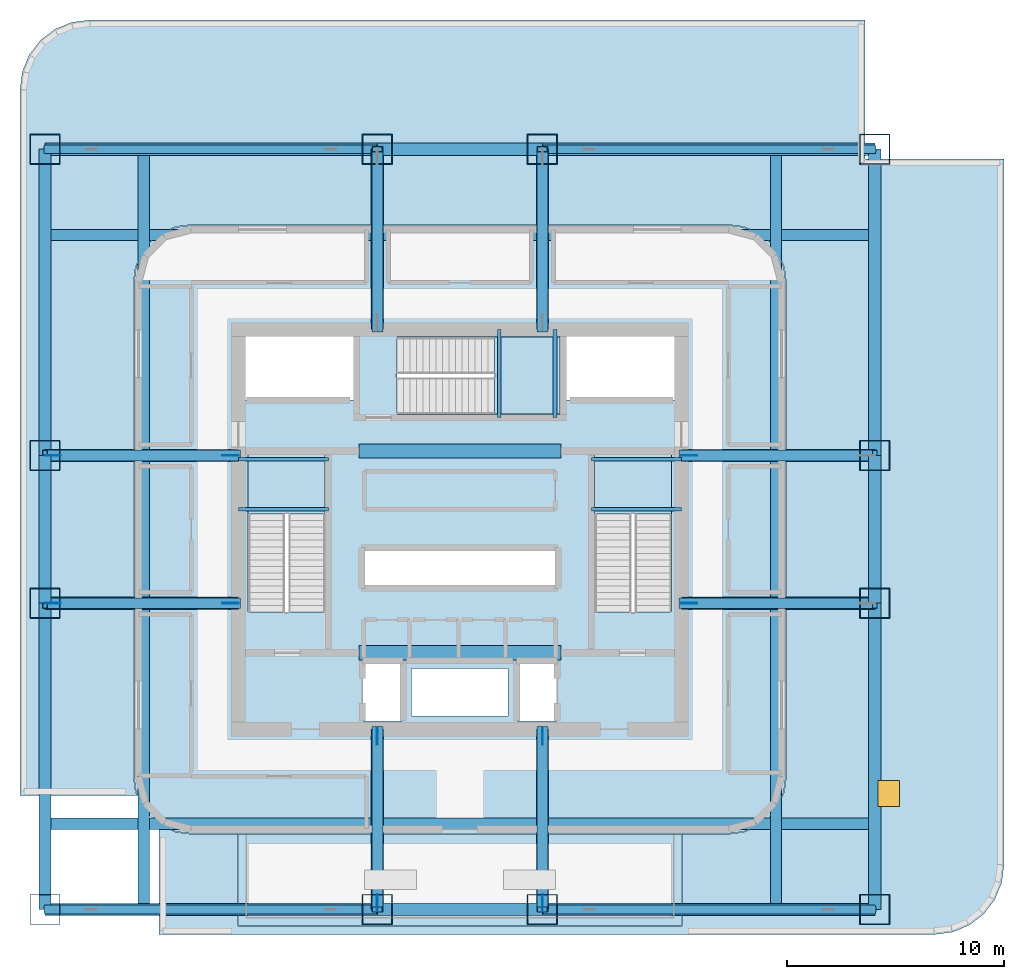
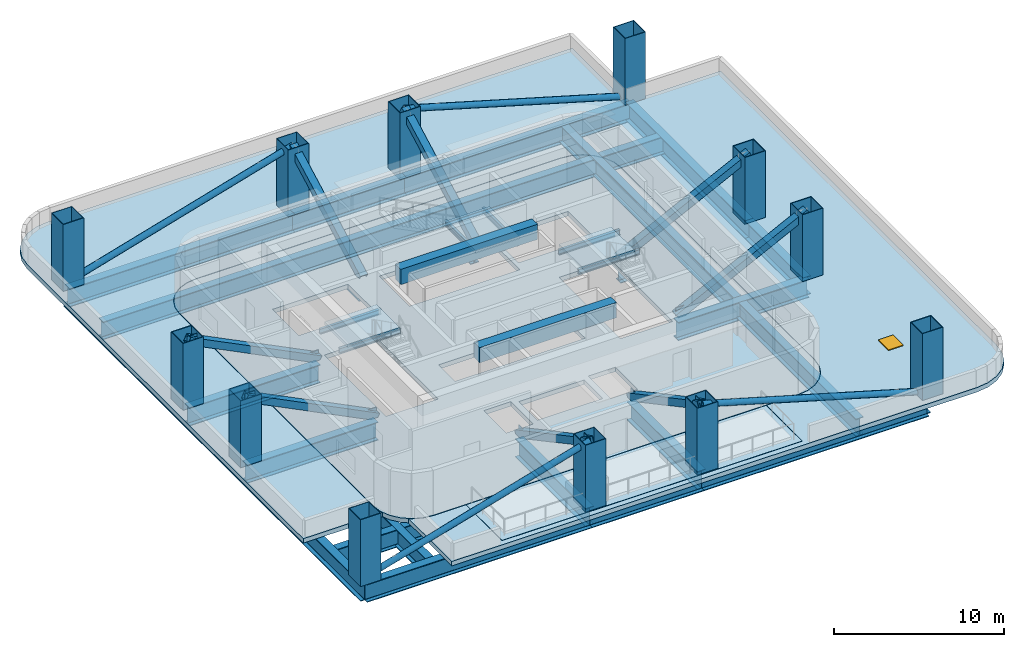
# One storey, part 1 of 10: 32 beams, 12 columns, 12 members, 10 plates, 6 slabs, 1 door, 1 opening, 3 elements without a shape of their own.
"""IFC4 building model written with IfcOpenShell, lengths in metres."""

from ifc_helpers import new_model, si_unit, direction, frame, origin, origin_2d, place, context, subcontext, project, spatial, polyline, rectangle, hollow_rectangle, hollow_circle, i_section, outline, extrude, material, layer, layer_set, material_profile, profile_set, type_object, element, fill, aggregate, save


model = new_model("IFC4")

# Units and contexts
model_context = context("Model", 3, precision=1e-05, world=origin(), true_north=direction((0.0, 1.0)))
body_context = subcontext(model_context, "Body", "Model", "MODEL_VIEW")
ifc_project = project(units=[si_unit("LENGTHUNIT", "METRE"), si_unit("AREAUNIT", "SQUARE_METRE"), si_unit("VOLUMEUNIT", "CUBIC_METRE"), si_unit("PLANEANGLEUNIT", "RADIAN"), si_unit("MASSUNIT", "GRAM", prefix="KILO")], contexts=[model_context])

# Site, building, storey
site_placement = place(None, origin())
site = spatial("IfcSite", under=ifc_project, at=site_placement, CompositionType="ELEMENT")
building_placement = place(site_placement, origin())
building = spatial("IfcBuilding", under=site, at=building_placement, Name="Punatoya Terracotta Tower", CompositionType="ELEMENT")
storey_placement = place(building_placement, frame((0.0, 0.0, 125.39990234375)))
storey = spatial("IfcBuildingStorey", under=building, at=storey_placement, Name="L29", CompositionType="ELEMENT", Elevation=125.39990234375)

# Columns
ifc_material_1 = material(Name="Steel S460", Category="steel")
ifc_material_profile_1 = material_profile(ifc_material_1, hollow_rectangle(XDim=1.39990234375, YDim=1.39990234375, WallThickness=0.0419921875, at=origin_2d()))
ifc_profile_set_1 = profile_set([ifc_material_profile_1], Name="Steel S460")
column_type = type_object("IfcColumnType", Name="COL-MC-Z2", PredefinedType="COLUMN", material=ifc_profile_set_1)
for number, where, z_axis, x_axis, name in (
    (1, (-19.10009765625, -17.5, 0.0), (0.0, 0.0, 1.0), (1.0, 0.0, 0.0), "L29 Composite Mega-Column MC-01 (3-B)"),
    (2, (-3.800048828125, -17.5, 0.0), (0.0, 0.0, 1.0), (1.0, 0.0, 0.0), "L29 Composite Mega-Column MC-02 (5-B)"),
    (3, (3.800048828125, -17.5, 0.0), (0.0, 0.0, 1.0), (1.0, 0.0, 0.0), "L29 Composite Mega-Column MC-03 (7-B)"),
    (4, (19.10009765625, -17.5, 0.0), (0.0, 0.0, 1.0), (1.0, 0.0, 0.0), "L29 Composite Mega-Column MC-04 (9-B)"),
    (5, (19.10009765625, -3.39990234375, 0.0), (0.0, 0.0, 1.0), (1.0, 0.0, 0.0), "L29 Composite Mega-Column MC-05 (9-D)"),
    (6, (19.10009765625, 3.39990234375, 0.0), (0.0, 0.0, 1.0), (1.0, 0.0, 0.0), "L29 Composite Mega-Column MC-06 (9-E)"),
    (7, (19.10009765625, 17.5, 0.0), (0.0, 0.0, 1.0), (1.0, 0.0, 0.0), "L29 Composite Mega-Column MC-07 (9-G)"),
    (8, (3.800048828125, 17.5, 0.0), (0.0, 0.0, 1.0), (1.0, 0.0, 0.0), "L29 Composite Mega-Column MC-08 (7-G)"),
    (9, (-3.800048828125, 17.5, 0.0), (0.0, 0.0, 1.0), (1.0, 0.0, 0.0), "L29 Composite Mega-Column MC-09 (5-G)"),
    (10, (-19.10009765625, 17.5, 0.0), (0.0, 0.0, 1.0), (1.0, 0.0, 0.0), "L29 Composite Mega-Column MC-10 (3-G)"),
    (11, (-19.10009765625, 3.39990234375, 0.0), (0.0, 0.0, 1.0), (1.0, 0.0, 0.0), "L29 Composite Mega-Column MC-11 (3-E)"),
    (12, (-19.10009765625, -3.39990234375, 0.0), (0.0, 0.0, 1.0), (1.0, 0.0, 0.0), "L29 Composite Mega-Column MC-12 (3-D)"),
):
    element("IfcColumn", number, at=place(storey_placement, frame(where, z_axis=z_axis, x_axis=x_axis)), inside=storey, type_object=column_type, Name=name, PredefinedType="COLUMN", context=body_context, shape_type="SweptSolid", body=[
        extrude(hollow_rectangle(XDim=1.39990234375, YDim=1.39990234375, WallThickness=0.0419921875, at=origin_2d()), origin(), (0.0, 0.0, 1.0), 4.800048828125),
    ])

# Beams
ifc_material_2 = material(Name="Concrete C60/75", Category="concrete")
ifc_material_profile_2 = material_profile(ifc_material_2, rectangle(XDim=0.64990234375, YDim=1.10009765625, at=origin_2d()))
ifc_profile_set_2 = profile_set([ifc_material_profile_2], Name="Concrete C60/75")
beam_type_1 = type_object("IfcBeamType", Name="BM-RC-1100", PredefinedType="LINTEL", material=ifc_profile_set_2)
for number, where, z_axis, x_axis, name in (
    (13, (-4.64990234375, -5.679931640625, 3.93017578125), (1.0, 0.0, 0.0), (0.0, 1.0, 0.0), "L29 Core Coupling Lintel CSW"),
    (14, (-4.64990234375, 3.60009765625, 3.93017578125), (1.0, 0.0, 0.0), (0.0, 1.0, 0.0), "L29 Core Coupling Lintel CNW"),
):
    element("IfcBeam", number, at=place(storey_placement, frame(where, z_axis=z_axis, x_axis=x_axis)), inside=storey, type_object=beam_type_1, Name=name, PredefinedType="LINTEL", context=body_context, shape_type="SweptSolid", body=[
        extrude(rectangle(XDim=0.64990234375, YDim=1.10009765625, at=origin_2d()), origin(), (0.0, 0.0, 1.0), 9.2998046875),
    ])
ifc_material_3 = material(Name="Steel S355", Category="steel")
ifc_material_profile_3 = material_profile(ifc_material_3, i_section(OverallWidth=0.169921875, OverallDepth=0.360107421875, WebThickness=0.008056640625, FlangeThickness=0.0126953125, FilletRadius=0.01806640625, at=origin_2d()))
ifc_profile_set_3 = profile_set([ifc_material_profile_3], Name="Steel S355")
beam_type_2 = type_object("IfcBeamType", Name="BM-SEC-360", PredefinedType="JOIST", material=ifc_profile_set_3)
for number, where, z_axis, x_axis, name in (
    (15, (-10.199951171875, 0.919921875, 2.02001953125), (1.0, 0.0, 0.0), (0.0, 1.0, 0.0), "BM-L29-ST-1-LD1A"),
    (16, (-10.199951171875, 3.22998046875, 2.02001953125), (1.0, 0.0, 0.0), (0.0, 1.0, 0.0), "BM-L29-ST-1-LD1B"),
    (17, (6.050048828125, 0.919921875, 2.02001953125), (1.0, 0.0, 0.0), (0.0, 1.0, 0.0), "BM-L29-ST-2-LD1A"),
    (18, (6.050048828125, 3.22998046875, 2.02001953125), (1.0, 0.0, 0.0), (0.0, 1.0, 0.0), "BM-L29-ST-2-LD1B"),
):
    element("IfcBeam", number, at=place(storey_placement, frame(where, z_axis=z_axis, x_axis=x_axis)), inside=storey, type_object=beam_type_2, Name=name, PredefinedType="JOIST", context=body_context, shape_type="SweptSolid", body=[
        extrude(i_section(OverallWidth=0.169921875, OverallDepth=0.360107421875, WebThickness=0.008056640625, FlangeThickness=0.0126953125, FilletRadius=0.01806640625, at=origin_2d()), origin(), (0.0, 0.0, 1.0), 4.14990234375),
    ])
for number, where, z_axis, x_axis, name in (
    (19, (1.820068359375, 5.14990234375, 2.02001953125), (0.0, 1.0, 0.0), (-1.0, 0.0, 0.0), "BM-L29-ST-3-LD1A"),
    (20, (4.3798828125, 5.14990234375, 2.02001953125), (0.0, 1.0, 0.0), (-1.0, 0.0, 0.0), "BM-L29-ST-3-LD1B"),
):
    element("IfcBeam", number, at=place(storey_placement, frame(where, z_axis=z_axis, x_axis=x_axis)), inside=storey, type_object=beam_type_2, Name=name, PredefinedType="JOIST", context=body_context, shape_type="SweptSolid", body=[
        extrude(i_section(OverallWidth=0.169921875, OverallDepth=0.360107421875, WebThickness=0.008056640625, FlangeThickness=0.0126953125, FilletRadius=0.01806640625, at=origin_2d()), origin(), (0.0, 0.0, 1.0), 4.050048828125),
    ])
ifc_material_profile_4 = material_profile(ifc_material_1, i_section(OverallWidth=0.56005859375, OverallDepth=1.320068359375, WebThickness=0.035888671875, FlangeThickness=0.054931640625, FilletRadius=0.01806640625, at=origin_2d()))
ifc_profile_set_4 = profile_set([ifc_material_profile_4], Name="Steel S460")
beam_type_3 = type_object("IfcBeamType", Name="BM-TG-BLK", PredefinedType="BEAM", material=ifc_profile_set_4)
beam_1_placement = place(storey_placement, frame((-19.10009765625, -17.5, -0.97998046875), z_axis=(1.0, 0.0, 0.0), x_axis=(0.0, 1.0, 0.0)))
element("IfcBeam", 21, at=beam_1_placement, inside=storey, type_object=beam_type_3, Name="BM-L29-RG-S1", PredefinedType="BEAM", context=body_context, shape_type="SweptSolid", body=[
    extrude(i_section(OverallWidth=0.56005859375, OverallDepth=1.320068359375, WebThickness=0.035888671875, FlangeThickness=0.054931640625, FilletRadius=0.01806640625, at=origin_2d()), origin(), (0.0, 0.0, 1.0), 15.300048828125),
])
beam_2_placement = place(storey_placement, frame((-3.800048828125, -17.5, -0.97998046875), z_axis=(1.0, 0.0, 0.0), x_axis=(0.0, 1.0, 0.0)))
element("IfcBeam", 22, at=beam_2_placement, inside=storey, type_object=beam_type_3, Name="BM-L29-RG-S2", PredefinedType="BEAM", context=body_context, shape_type="SweptSolid", body=[
    extrude(i_section(OverallWidth=0.56005859375, OverallDepth=1.320068359375, WebThickness=0.035888671875, FlangeThickness=0.054931640625, FilletRadius=0.01806640625, at=origin_2d()), origin(), (0.0, 0.0, 1.0), 7.60009765625),
])
for number, where, z_axis, x_axis, name in (
    (23, (3.800048828125, -17.5, -0.97998046875), (1.0, 0.0, 0.0), (0.0, 1.0, 0.0), "BM-L29-RG-S3"),
    (24, (-19.10009765625, 17.5, -0.97998046875), (1.0, 0.0, 0.0), (0.0, 1.0, 0.0), "BM-L29-RG-N1"),
):
    element("IfcBeam", number, at=place(storey_placement, frame(where, z_axis=z_axis, x_axis=x_axis)), inside=storey, type_object=beam_type_3, Name=name, PredefinedType="BEAM", context=body_context, shape_type="SweptSolid", body=[
        extrude(i_section(OverallWidth=0.56005859375, OverallDepth=1.320068359375, WebThickness=0.035888671875, FlangeThickness=0.054931640625, FilletRadius=0.01806640625, at=origin_2d()), origin(), (0.0, 0.0, 1.0), 15.300048828125),
    ])
beam_3_placement = place(storey_placement, frame((-3.800048828125, 17.5, -0.97998046875), z_axis=(1.0, 0.0, 0.0), x_axis=(0.0, 1.0, 0.0)))
element("IfcBeam", 25, at=beam_3_placement, inside=storey, type_object=beam_type_3, Name="BM-L29-RG-N2", PredefinedType="BEAM", context=body_context, shape_type="SweptSolid", body=[
    extrude(i_section(OverallWidth=0.56005859375, OverallDepth=1.320068359375, WebThickness=0.035888671875, FlangeThickness=0.054931640625, FilletRadius=0.01806640625, at=origin_2d()), origin(), (0.0, 0.0, 1.0), 7.60009765625),
])
beam_4_placement = place(storey_placement, frame((3.800048828125, 17.5, -0.97998046875), z_axis=(1.0, 0.0, 0.0), x_axis=(0.0, 1.0, 0.0)))
element("IfcBeam", 26, at=beam_4_placement, inside=storey, type_object=beam_type_3, Name="BM-L29-RG-N3", PredefinedType="BEAM", context=body_context, shape_type="SweptSolid", body=[
    extrude(i_section(OverallWidth=0.56005859375, OverallDepth=1.320068359375, WebThickness=0.035888671875, FlangeThickness=0.054931640625, FilletRadius=0.01806640625, at=origin_2d()), origin(), (0.0, 0.0, 1.0), 15.300048828125),
])
beam_5_placement = place(storey_placement, frame((-19.10009765625, -17.5, -0.97998046875), z_axis=(0.0, 1.0, 0.0), x_axis=(-1.0, 0.0, 0.0)))
element("IfcBeam", 27, at=beam_5_placement, inside=storey, type_object=beam_type_3, Name="BM-L29-RG-W1", PredefinedType="BEAM", context=body_context, shape_type="SweptSolid", body=[
    extrude(i_section(OverallWidth=0.56005859375, OverallDepth=1.320068359375, WebThickness=0.035888671875, FlangeThickness=0.054931640625, FilletRadius=0.01806640625, at=origin_2d()), origin(), (0.0, 0.0, 1.0), 14.10009765625),
])
beam_6_placement = place(storey_placement, frame((-19.10009765625, -3.39990234375, -0.97998046875), z_axis=(0.0, 1.0, 0.0), x_axis=(-1.0, 0.0, 0.0)))
element("IfcBeam", 28, at=beam_6_placement, inside=storey, type_object=beam_type_3, Name="BM-L29-RG-W2", PredefinedType="BEAM", context=body_context, shape_type="SweptSolid", body=[
    extrude(i_section(OverallWidth=0.56005859375, OverallDepth=1.320068359375, WebThickness=0.035888671875, FlangeThickness=0.054931640625, FilletRadius=0.01806640625, at=origin_2d()), origin(), (0.0, 0.0, 1.0), 6.7998046875),
])
for number, where, z_axis, x_axis, name in (
    (29, (-19.10009765625, 3.39990234375, -0.97998046875), (0.0, 1.0, 0.0), (-1.0, 0.0, 0.0), "BM-L29-RG-W3"),
    (30, (19.10009765625, -17.5, -0.97998046875), (0.0, 1.0, 0.0), (-1.0, 0.0, 0.0), "BM-L29-RG-E1"),
):
    element("IfcBeam", number, at=place(storey_placement, frame(where, z_axis=z_axis, x_axis=x_axis)), inside=storey, type_object=beam_type_3, Name=name, PredefinedType="BEAM", context=body_context, shape_type="SweptSolid", body=[
        extrude(i_section(OverallWidth=0.56005859375, OverallDepth=1.320068359375, WebThickness=0.035888671875, FlangeThickness=0.054931640625, FilletRadius=0.01806640625, at=origin_2d()), origin(), (0.0, 0.0, 1.0), 14.10009765625),
    ])
beam_7_placement = place(storey_placement, frame((19.10009765625, -3.39990234375, -0.97998046875), z_axis=(0.0, 1.0, 0.0), x_axis=(-1.0, 0.0, 0.0)))
element("IfcBeam", 31, at=beam_7_placement, inside=storey, type_object=beam_type_3, Name="BM-L29-RG-E2", PredefinedType="BEAM", context=body_context, shape_type="SweptSolid", body=[
    extrude(i_section(OverallWidth=0.56005859375, OverallDepth=1.320068359375, WebThickness=0.035888671875, FlangeThickness=0.054931640625, FilletRadius=0.01806640625, at=origin_2d()), origin(), (0.0, 0.0, 1.0), 6.7998046875),
])
beam_8_placement = place(storey_placement, frame((19.10009765625, 3.39990234375, -0.97998046875), z_axis=(0.0, 1.0, 0.0), x_axis=(-1.0, 0.0, 0.0)))
element("IfcBeam", 32, at=beam_8_placement, inside=storey, type_object=beam_type_3, Name="BM-L29-RG-E3", PredefinedType="BEAM", context=body_context, shape_type="SweptSolid", body=[
    extrude(i_section(OverallWidth=0.56005859375, OverallDepth=1.320068359375, WebThickness=0.035888671875, FlangeThickness=0.054931640625, FilletRadius=0.01806640625, at=origin_2d()), origin(), (0.0, 0.0, 1.0), 14.10009765625),
])
for number, where, z_axis, x_axis, name in (
    (33, (-19.10009765625, -3.39990234375, -0.97998046875), (1.0, 0.0, 0.0), (0.0, 1.0, 0.0), "BM-L29-PR-WD"),
    (34, (-19.10009765625, 3.39990234375, -0.97998046875), (1.0, 0.0, 0.0), (0.0, 1.0, 0.0), "BM-L29-PR-WE"),
    (35, (10.199951171875, -3.39990234375, -0.97998046875), (1.0, 0.0, 0.0), (0.0, 1.0, 0.0), "BM-L29-PR-ED"),
    (36, (10.199951171875, 3.39990234375, -0.97998046875), (1.0, 0.0, 0.0), (0.0, 1.0, 0.0), "BM-L29-PR-EE"),
):
    element("IfcBeam", number, at=place(storey_placement, frame(where, z_axis=z_axis, x_axis=x_axis)), inside=storey, type_object=beam_type_3, Name=name, PredefinedType="BEAM", context=body_context, shape_type="SweptSolid", body=[
        extrude(i_section(OverallWidth=0.56005859375, OverallDepth=1.320068359375, WebThickness=0.035888671875, FlangeThickness=0.054931640625, FilletRadius=0.01806640625, at=origin_2d()), origin(), (0.0, 0.0, 1.0), 8.900146484375),
    ])
for number, where, z_axis, x_axis, name in (
    (37, (-3.800048828125, -17.5, -0.97998046875), (0.0, 1.0, 0.0), (-1.0, 0.0, 0.0), "BM-L29-PR-S2"),
    (38, (3.800048828125, -17.5, -0.97998046875), (0.0, 1.0, 0.0), (-1.0, 0.0, 0.0), "BM-L29-PR-S3"),
    (39, (-3.800048828125, 9.199951171875, -0.97998046875), (0.0, 1.0, 0.0), (-1.0, 0.0, 0.0), "BM-L29-PR-N2"),
    (40, (3.800048828125, 9.199951171875, -0.97998046875), (0.0, 1.0, 0.0), (-1.0, 0.0, 0.0), "BM-L29-PR-N3"),
):
    element("IfcBeam", number, at=place(storey_placement, frame(where, z_axis=z_axis, x_axis=x_axis)), inside=storey, type_object=beam_type_3, Name=name, PredefinedType="BEAM", context=body_context, shape_type="SweptSolid", body=[
        extrude(i_section(OverallWidth=0.56005859375, OverallDepth=1.320068359375, WebThickness=0.035888671875, FlangeThickness=0.054931640625, FilletRadius=0.01806640625, at=origin_2d()), origin(), (0.0, 0.0, 1.0), 8.300048828125),
    ])
ifc_material_profile_5 = material_profile(ifc_material_1, i_section(OverallWidth=0.52001953125, OverallDepth=1.280029296875, WebThickness=0.031982421875, FlangeThickness=0.050048828125, FilletRadius=0.01806640625, at=origin_2d()))
ifc_profile_set_5 = profile_set([ifc_material_profile_5], Name="Steel S460")
beam_type_4 = type_object("IfcBeamType", Name="BM-TG-NCK", PredefinedType="BEAM", material=ifc_profile_set_5)
for number, where, z_axis, x_axis, name in (
    (41, (-19.10009765625, -13.550048828125, -0.9599609375), (1.0, 0.0, 0.0), (0.0, 1.0, 0.0), "BM-L29-NCK-S"),
    (42, (-19.10009765625, 13.550048828125, -0.9599609375), (1.0, 0.0, 0.0), (0.0, 1.0, 0.0), "BM-L29-NCK-N"),
):
    element("IfcBeam", number, at=place(storey_placement, frame(where, z_axis=z_axis, x_axis=x_axis)), inside=storey, type_object=beam_type_4, Name=name, PredefinedType="BEAM", context=body_context, shape_type="SweptSolid", body=[
        extrude(i_section(OverallWidth=0.52001953125, OverallDepth=1.280029296875, WebThickness=0.031982421875, FlangeThickness=0.050048828125, FilletRadius=0.01806640625, at=origin_2d()), origin(), (0.0, 0.0, 1.0), 38.2001953125),
    ])
for number, where, z_axis, x_axis, name in (
    (43, (-14.550048828125, -17.5, -0.9599609375), (0.0, 1.0, 0.0), (-1.0, 0.0, 0.0), "BM-L29-NCK-W"),
    (44, (14.550048828125, -17.5, -0.9599609375), (0.0, 1.0, 0.0), (-1.0, 0.0, 0.0), "BM-L29-NCK-E"),
):
    element("IfcBeam", number, at=place(storey_placement, frame(where, z_axis=z_axis, x_axis=x_axis)), inside=storey, type_object=beam_type_4, Name=name, PredefinedType="BEAM", context=body_context, shape_type="SweptSolid", body=[
        extrude(i_section(OverallWidth=0.52001953125, OverallDepth=1.280029296875, WebThickness=0.031982421875, FlangeThickness=0.050048828125, FilletRadius=0.01806640625, at=origin_2d()), origin(), (0.0, 0.0, 1.0), 35.0),
    ])

# Members
ifc_material_profile_6 = material_profile(ifc_material_1, hollow_circle(Radius=0.202880859375, WallThickness=0.02001953125, at=origin_2d()))
ifc_profile_set_6 = profile_set([ifc_material_profile_6], Name="Steel S460")
member_type_1 = type_object("IfcMemberType", Name="MEM-NCK-CHS", PredefinedType="STRUT", material=ifc_profile_set_6)
for number, where, z_axis, x_axis, name in (
    (45, (-19.10009765625, -17.5, 0.02001953125), (0.960375870408, 0.0, 0.278708068664), (0.0, 1.0, 0.0), "L29 Baradari Colonnade Ring Strut NST-1"),
    (46, (3.800048828125, -17.5, 4.460205078125), (0.960375870408, 0.0, -0.278708068664), (0.0, 1.0, 0.0), "L29 Baradari Colonnade Ring Strut NST-2"),
    (47, (-19.10009765625, 17.5, 0.02001953125), (0.960375870408, 0.0, 0.278708068664), (0.0, 1.0, 0.0), "L29 Baradari Colonnade Ring Strut NST-3"),
    (48, (3.800048828125, 17.5, 4.460205078125), (0.960375870408, 0.0, -0.278708068664), (0.0, 1.0, 0.0), "L29 Baradari Colonnade Ring Strut NST-4"),
):
    element("IfcMember", number, at=place(storey_placement, frame(where, z_axis=z_axis, x_axis=x_axis)), inside=storey, type_object=member_type_1, Name=name, PredefinedType="STRUT", context=body_context, shape_type="SweptSolid", body=[
        extrude(hollow_circle(Radius=0.202880859375, WallThickness=0.02001953125, at=origin_2d()), origin(), (0.0, 0.0, 1.0), 15.931396484375),
    ])
ifc_material_profile_7 = material_profile(ifc_material_1, hollow_rectangle(XDim=0.5, YDim=0.5, WallThickness=0.028076171875, at=origin_2d()))
ifc_profile_set_7 = profile_set([ifc_material_profile_7], Name="Steel S460")
member_type_2 = type_object("IfcMemberType", Name="MEM-OUT-500", PredefinedType="BRACE", material=ifc_profile_set_7)
for number, where, z_axis, x_axis, name in (
    (49, (-10.199951171875, -3.39990234375, 0.02001953125), (-0.894824482652, 0.0, 0.446418128268), (0.0, -1.0, 0.0), "L29 Outrigger Truss Diagonal WS"),
    (50, (-10.199951171875, 3.39990234375, 0.02001953125), (-0.894824482652, 0.0, 0.446418128268), (0.0, -1.0, 0.0), "L29 Outrigger Truss Diagonal WN"),
    (51, (10.199951171875, -3.39990234375, 0.02001953125), (0.894824482652, 0.0, 0.446418128268), (0.0, 1.0, 0.0), "L29 Outrigger Truss Diagonal ES"),
    (52, (10.199951171875, 3.39990234375, 0.02001953125), (0.894824482652, 0.0, 0.446418128268), (0.0, 1.0, 0.0), "L29 Outrigger Truss Diagonal EN"),
):
    element("IfcMember", number, at=place(storey_placement, frame(where, z_axis=z_axis, x_axis=x_axis)), inside=storey, type_object=member_type_2, Name=name, PredefinedType="BRACE", context=body_context, shape_type="SweptSolid", body=[
        extrude(hollow_rectangle(XDim=0.5, YDim=0.5, WallThickness=0.028076171875, at=origin_2d()), origin(), (0.0, 0.0, 1.0), 9.9462890625),
    ])
for number, where, z_axis, x_axis, name in (
    (53, (-3.800048828125, -9.199951171875, 0.02001953125), (0.0, -0.881757046276, 0.471703838592), (1.0, 0.0, 0.0), "L29 Outrigger Truss Diagonal SW"),
    (54, (3.800048828125, -9.199951171875, 0.02001953125), (0.0, -0.881757046276, 0.471703838592), (1.0, 0.0, 0.0), "L29 Outrigger Truss Diagonal SE"),
    (55, (-3.800048828125, 9.199951171875, 0.02001953125), (0.0, 0.881757046276, 0.471703838592), (-1.0, 0.0, 0.0), "L29 Outrigger Truss Diagonal NW"),
    (56, (3.800048828125, 9.199951171875, 0.02001953125), (0.0, 0.881757046276, 0.471703838592), (-1.0, 0.0, 0.0), "L29 Outrigger Truss Diagonal NE"),
):
    element("IfcMember", number, at=place(storey_placement, frame(where, z_axis=z_axis, x_axis=x_axis)), inside=storey, type_object=member_type_2, Name=name, PredefinedType="BRACE", context=body_context, shape_type="SweptSolid", body=[
        extrude(hollow_rectangle(XDim=0.5, YDim=0.5, WallThickness=0.028076171875, at=origin_2d()), origin(), (0.0, 0.0, 1.0), 9.4130859375),
    ])

# Plates
ifc_layer_1 = layer(ifc_material_1, 0.035888671875)
ifc_layer_set_1 = layer_set([ifc_layer_1], Name="Steel S460")
plate_type = type_object("IfcPlateType", Name="PLT-GUS-36", PredefinedType="USERDEFINED", material=ifc_layer_set_1)
for number, where, z_axis, x_axis, name in (
    (57, (-10.555908203125, -3.39990234375, -0.17724609375), (0.0, 0.0, 1.0), (1.0, 0.0, 0.0), "L29 Outrigger Core Gusset Plate WS"),
    (58, (-18.743896484375, -3.39990234375, 3.907470703125), (0.0, 0.0, 1.0), (1.0, 0.0, 0.0), "L29 Outrigger Mega-Column Gusset Plate WS"),
    (59, (-10.555908203125, 3.39990234375, -0.17724609375), (0.0, 0.0, 1.0), (1.0, 0.0, 0.0), "L29 Outrigger Core Gusset Plate WN"),
    (60, (-18.743896484375, 3.39990234375, 3.907470703125), (0.0, 0.0, 1.0), (1.0, 0.0, 0.0), "L29 Outrigger Mega-Column Gusset Plate WN"),
    (61, (10.555908203125, -3.39990234375, -0.17724609375), (0.0, 0.0, 1.0), (1.0, 0.0, 0.0), "L29 Outrigger Core Gusset Plate ES"),
    (62, (10.555908203125, 3.39990234375, -0.17724609375), (0.0, 0.0, 1.0), (1.0, 0.0, 0.0), "L29 Outrigger Core Gusset Plate EN"),
    (63, (-3.800048828125, -9.531982421875, -0.17724609375), (0.0, 0.0, 1.0), (0.0, 1.0, 0.0), "L29 Outrigger Core Gusset Plate SW"),
    (64, (-3.800048828125, -17.16796875, 3.907470703125), (0.0, 0.0, 1.0), (0.0, 1.0, 0.0), "L29 Outrigger Mega-Column Gusset Plate SW"),
    (65, (3.800048828125, -9.531982421875, -0.17724609375), (0.0, 0.0, 1.0), (0.0, 1.0, 0.0), "L29 Outrigger Core Gusset Plate SE"),
    (66, (3.800048828125, -17.16796875, 3.907470703125), (0.0, 0.0, 1.0), (0.0, 1.0, 0.0), "L29 Outrigger Mega-Column Gusset Plate SE"),
):
    element("IfcPlate", number, at=place(storey_placement, frame(where, z_axis=z_axis, x_axis=x_axis)), inside=storey, type_object=plate_type, Name=name, ObjectType="GUSSET_PLATE", PredefinedType="USERDEFINED", context=body_context, shape_type="SweptSolid", body=[
        extrude(rectangle(XDim=0.75, YDim=0.035888671875, at=origin_2d()), origin(), (0.0, 0.0, 1.0), 0.75),
    ])

# Stair, slab
ifc_material_4 = material(Name="Concrete C40/50", Category="concrete")
stair_type_1 = type_object("IfcStairType", Name="STR-TER-1450", PredefinedType="HALF_TURN_STAIR", material=ifc_material_4)
stair_1_placement = place(storey_placement, origin())
stair_1 = element("IfcStair", 67, at=stair_1_placement, inside=storey, type_object=stair_type_1, Name="L29 Protected Core Exit Stair ST-3", PredefinedType="HALF_TURN_STAIR")
ifc_layer_2 = layer(ifc_material_4, 0.1650390625)
ifc_layer_set_2 = layer_set([ifc_layer_2], Name="Concrete C40/50")
slab_type_1 = type_object("IfcSlabType", Name="SLB-LND-165", PredefinedType="LANDING", material=ifc_layer_set_2)
slab_1_placement = place(storey_placement, frame((0.0, 0.0, 2.2001953125)))
slab_1 = element("IfcSlab", 68, at=slab_1_placement, type_object=slab_type_1, Name="ST-3 landing 1", PredefinedType="LANDING", context=body_context, shape_type="SweptSolid", body=[
    extrude(outline(polyline([(1.60009765625, 5.300048828125), (4.60009765625, 5.300048828125), (4.60009765625, 8.85009765625), (1.60009765625, 8.85009765625), (1.60009765625, 5.300048828125)])), origin(), (0.0, 0.0, 1.0), 0.199951171875),
])
aggregate(stair_1, [slab_1])

stair_type_2 = type_object("IfcStairType", Name="STR-CORE-1550", PredefinedType="HALF_TURN_STAIR", material=ifc_material_4)
stair_2_placement = place(storey_placement, origin())
stair_2 = element("IfcStair", 69, at=stair_2_placement, inside=storey, type_object=stair_type_2, Name="L29 Protected Core Exit Stair ST-1", PredefinedType="HALF_TURN_STAIR")
ifc_layer_3 = layer(ifc_material_4, 0.179931640625)
ifc_layer_set_3 = layer_set([ifc_layer_3], Name="Concrete C40/50")
slab_type_2 = type_object("IfcSlabType", Name="SLB-LND-180", PredefinedType="LANDING", material=ifc_layer_set_3)
slab_2_placement = place(storey_placement, frame((0.0, 0.0, 2.2001953125)))
slab_2 = element("IfcSlab", 70, at=slab_2_placement, type_object=slab_type_2, Name="ST-1 landing 1", PredefinedType="LANDING", context=body_context, shape_type="SweptSolid", body=[
    extrude(outline(polyline([(-6.199951171875, 0.699951171875), (-6.199951171875, 3.449951171875), (-9.75, 3.449951171875), (-9.75, 0.699951171875), (-6.199951171875, 0.699951171875)])), origin(), (0.0, 0.0, 1.0), 0.199951171875),
])
aggregate(stair_2, [slab_2])

stair_type_3 = type_object("IfcStairType", Name="STR-LOB-1650", PredefinedType="HALF_TURN_STAIR", material=ifc_material_4)
stair_3_placement = place(storey_placement, origin())
stair_3 = element("IfcStair", 71, at=stair_3_placement, inside=storey, type_object=stair_type_3, Name="L29 Protected Core Exit Stair ST-2", PredefinedType="HALF_TURN_STAIR")
slab_3_placement = place(storey_placement, frame((0.0, 0.0, 2.2001953125)))
slab_3 = element("IfcSlab", 72, at=slab_3_placement, type_object=slab_type_2, Name="ST-2 landing 1", PredefinedType="LANDING", context=body_context, shape_type="SweptSolid", body=[
    extrude(outline(polyline([(9.75, 0.699951171875), (9.75, 3.449951171875), (6.199951171875, 3.449951171875), (6.199951171875, 0.699951171875), (9.75, 0.699951171875)])), origin(), (0.0, 0.0, 1.0), 0.199951171875),
])
aggregate(stair_3, [slab_3])

# Slabs
ifc_layer_4 = layer(ifc_material_4, 0.320068359375)
ifc_layer_set_4 = layer_set([ifc_layer_4], Name="Concrete C40/50")
slab_type_3 = type_object("IfcSlabType", Name="SLB-PLT-320", PredefinedType="FLOOR", material=ifc_layer_set_4)
slab_4_placement = place(storey_placement, frame((0.0, 0.0, -0.31982421875)))
element("IfcSlab", 73, at=slab_4_placement, inside=storey, type_object=slab_type_3, Name="L29 Structural Floor Slab", PredefinedType="FLOOR", context=body_context, shape_type="SweptSolid", body=[
    extrude(outline(polyline([(-12.39990234375, -14.0), (-13.072998046875, -13.911376953125), (-13.699951171875, -13.651611328125), (-14.238525390625, -13.238525390625), (-14.651611328125, -12.699951171875), (-14.911376953125, -12.072998046875), (-15.0, -11.39990234375), (-15.0, 11.39990234375), (-14.911376953125, 12.072998046875), (-14.651611328125, 12.699951171875), (-14.238525390625, 13.238525390625), (-13.699951171875, 13.651611328125), (-13.072998046875, 13.911376953125), (-12.39990234375, 14.0), (12.39990234375, 14.0), (13.072998046875, 13.911376953125), (13.699951171875, 13.651611328125), (14.238525390625, 13.238525390625), (14.651611328125, 12.699951171875), (14.911376953125, 12.072998046875), (15.0, 11.39990234375), (15.0, -11.39990234375), (14.911376953125, -12.072998046875), (14.651611328125, -12.699951171875), (14.238525390625, -13.238525390625), (13.699951171875, -13.651611328125), (13.072998046875, -13.911376953125), (12.39990234375, -14.0), (-12.39990234375, -14.0)]), holes=[polyline([(-2.6298828125, -6.179931640625), (-4.469970703125, -6.179931640625), (-4.469970703125, -8.820068359375), (-2.6298828125, -8.820068359375), (-2.6298828125, -6.179931640625)]), polyline([(0.02001953125, -8.594970703125), (2.219970703125, -8.594970703125), (2.219970703125, -6.405029296875), (0.02001953125, -6.405029296875), (-0.02001953125, -6.405029296875), (-2.219970703125, -6.405029296875), (-2.219970703125, -8.594970703125), (-0.02001953125, -8.594970703125), (0.02001953125, -8.594970703125)]), polyline([(-2.219970703125, -2.719970703125), (-2.179931640625, -2.719970703125), (-0.02001953125, -2.719970703125), (0.02001953125, -2.719970703125), (2.179931640625, -2.719970703125), (2.219970703125, -2.719970703125), (4.419921875, -2.719970703125), (4.419921875, -0.780029296875), (2.219970703125, -0.780029296875), (2.179931640625, -0.780029296875), (0.02001953125, -0.780029296875), (-0.02001953125, -0.780029296875), (-2.179931640625, -0.780029296875), (-2.219970703125, -0.780029296875), (-4.419921875, -0.780029296875), (-4.419921875, -2.719970703125), (-2.219970703125, -2.719970703125)]), polyline([(-6.199951171875, 3.449951171875), (-9.75, 3.449951171875), (-9.75, -3.79931640625), (-6.199951171875, -3.79931640625), (-6.199951171875, 3.449951171875)]), polyline([(4.60009765625, 5.300048828125), (4.60009765625, 8.85009765625), (-2.899169921875, 8.85009765625), (-2.899169921875, 5.300048828125), (4.60009765625, 5.300048828125)]), polyline([(-4.89990234375, 9.050048828125), (-10.050048828125, 9.050048828125), (-10.050048828125, 5.949951171875), (-4.89990234375, 5.949951171875), (-4.89990234375, 9.050048828125)]), polyline([(4.469970703125, -8.820068359375), (4.469970703125, -6.179931640625), (2.6298828125, -6.179931640625), (2.6298828125, -8.820068359375), (4.469970703125, -8.820068359375)]), polyline([(9.75, 3.449951171875), (6.199951171875, 3.449951171875), (6.199951171875, -3.79931640625), (9.75, -3.79931640625), (9.75, 3.449951171875)]), polyline([(10.050048828125, 5.949951171875), (10.050048828125, 9.050048828125), (4.89990234375, 9.050048828125), (4.89990234375, 5.949951171875), (10.050048828125, 5.949951171875)])]), origin(), (0.0, 0.0, 1.0), 0.31982421875),
])
slab_5_placement = place(storey_placement, frame((0.0, 0.0, -0.31982421875)))
element("IfcSlab", 74, at=slab_5_placement, inside=storey, type_object=slab_type_3, Name="L29 Hover-Neck Sky Garden Terrace", PredefinedType="FLOOR", context=body_context, shape_type="SweptSolid", body=[
    extrude(outline(polyline([(10.199951171875, -18.25), (-10.199951171875, -18.25), (-10.199951171875, -14.02001953125), (10.199951171875, -14.02001953125), (10.199951171875, -18.25)])), origin(), (0.0, 0.0, 1.0), 0.31982421875),
])

# Slab, opening, door
ifc_layer_5 = layer(ifc_material_4, 0.320068359375)
ifc_layer_set_5 = layer_set([ifc_layer_5], Name="Concrete C40/50")
slab_type_4 = type_object("IfcSlabType", Name="SLB-ROF-320", PredefinedType="ROOF", material=ifc_layer_set_5)
slab_6_placement = place(storey_placement, frame((0.0, 0.0, -0.31982421875)))
slab_6 = element("IfcSlab", 75, at=slab_6_placement, inside=storey, type_object=slab_type_4, Name="L29 Junction Roof Slab 1 over L28 Plate", PredefinedType="ROOF", context=body_context, shape_type="SweptSolid", body=[
    extrude(outline(polyline([(-20.14111328125, 21.078125), (-20.25, 20.25), (-20.25, -12.25), (-14.859619140625, -12.25), (-14.930908203125, -12.078125), (-15.02001953125, -11.4013671875), (-15.02001953125, 11.4013671875), (-14.930908203125, 12.078125), (-14.669189453125, 12.710205078125), (-14.252685546875, 13.252685546875), (-13.710205078125, 13.669189453125), (-13.078125, 13.930908203125), (-12.4013671875, 14.02001953125), (12.4013671875, 14.02001953125), (13.078125, 13.930908203125), (13.710205078125, 13.669189453125), (14.252685546875, 13.252685546875), (14.669189453125, 12.710205078125), (14.930908203125, 12.078125), (15.02001953125, 11.4013671875), (15.02001953125, -11.4013671875), (14.930908203125, -12.078125), (14.669189453125, -12.710205078125), (14.252685546875, -13.252685546875), (13.710205078125, -13.669189453125), (13.078125, -13.930908203125), (12.4013671875, -14.02001953125), (10.219970703125, -14.02001953125), (10.219970703125, -18.27001953125), (-10.219970703125, -18.27001953125), (-10.219970703125, -14.02001953125), (-12.4013671875, -14.02001953125), (-13.078125, -13.930908203125), (-13.710205078125, -13.669189453125), (-13.85009765625, -13.561767578125), (-13.85009765625, -18.64990234375), (21.85009765625, -18.64990234375), (22.67822265625, -18.541015625), (23.449951171875, -18.22119140625), (24.11279296875, -17.712646484375), (24.621337890625, -17.050048828125), (24.94091796875, -16.2783203125), (25.050048828125, -15.449951171875), (25.050048828125, 17.050048828125), (18.64990234375, 17.050048828125), (18.64990234375, 23.449951171875), (-17.050048828125, 23.449951171875), (-17.878173828125, 23.341064453125), (-18.64990234375, 23.021240234375), (-19.312744140625, 22.5126953125), (-19.8212890625, 21.85009765625), (-20.14111328125, 21.078125)]), holes=[polyline([(20.25, -11.550048828125), (20.25, -12.75), (19.25, -12.75), (19.25, -11.550048828125), (20.25, -11.550048828125)])]), origin(), (0.0, 0.0, 1.0), 0.31982421875),
])
opening_placement = place(slab_6_placement, frame((19.75, -12.14990234375, 0.0)))
opening = element("IfcOpeningElement", 76, at=opening_placement, cuts=slab_6, Name="Opening RHT-1", PredefinedType="OPENING", context=body_context, shape_type="SweptSolid", body=[
    extrude(rectangle(XDim=1.0, YDim=1.199951171875, at=origin_2d()), frame((0.0, 0.0, -0.010009765625)), (0.0, 0.0, 1.0), 0.389892578125),
])
ifc_material_5 = material(Name="Insulated Aluminium Roof Hatch", Category="aluminium")
door_type = type_object("IfcDoorType", Name="DR-HTCH-1000", OperationType="NOTDEFINED", PredefinedType="TRAPDOOR", material=ifc_material_5)
door_placement = place(opening_placement, frame((0.0, 0.0, 0.31982421875)))
door = element("IfcDoor", 77, at=door_placement, inside=storey, type_object=door_type, Name="L29 Junction Roof Maintenance Hatch 1", OperationType="SINGLE_SWING_LEFT", OverallHeight=1.199951171875, OverallWidth=1.0, PredefinedType="TRAPDOOR", context=body_context, shape_type="SweptSolid", body=[
    extrude(rectangle(XDim=1.0, YDim=1.199951171875, at=origin_2d()), origin(), (0.0, 0.0, 1.0), 0.050048828125),
])
fill(opening, door)

save(model, "model.ifc")
